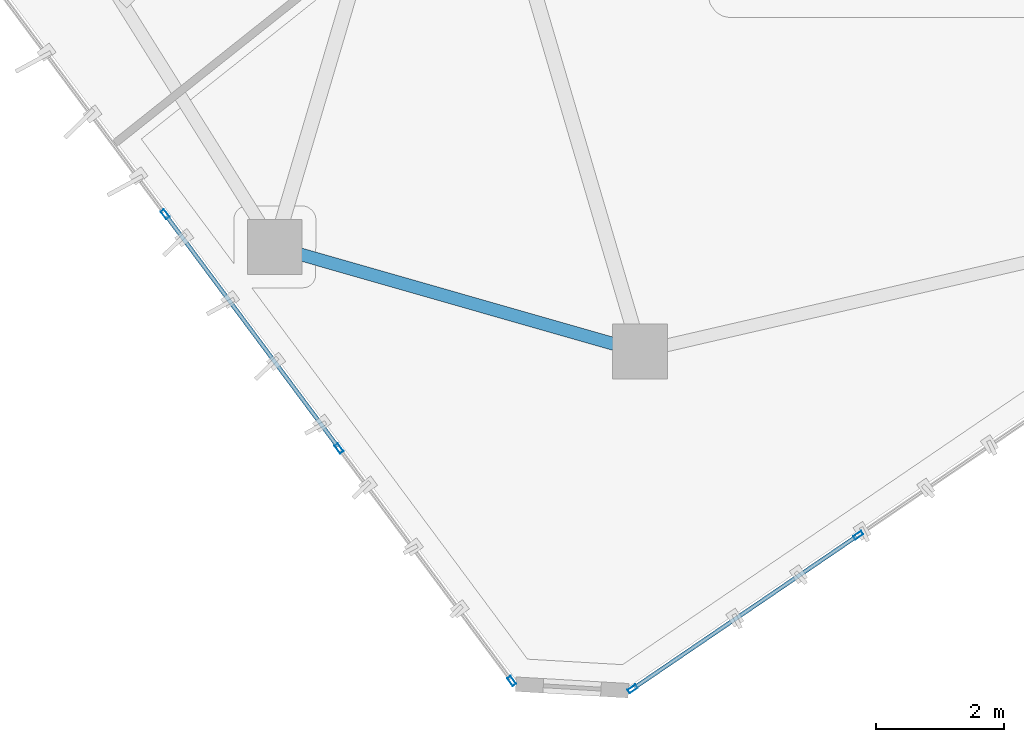
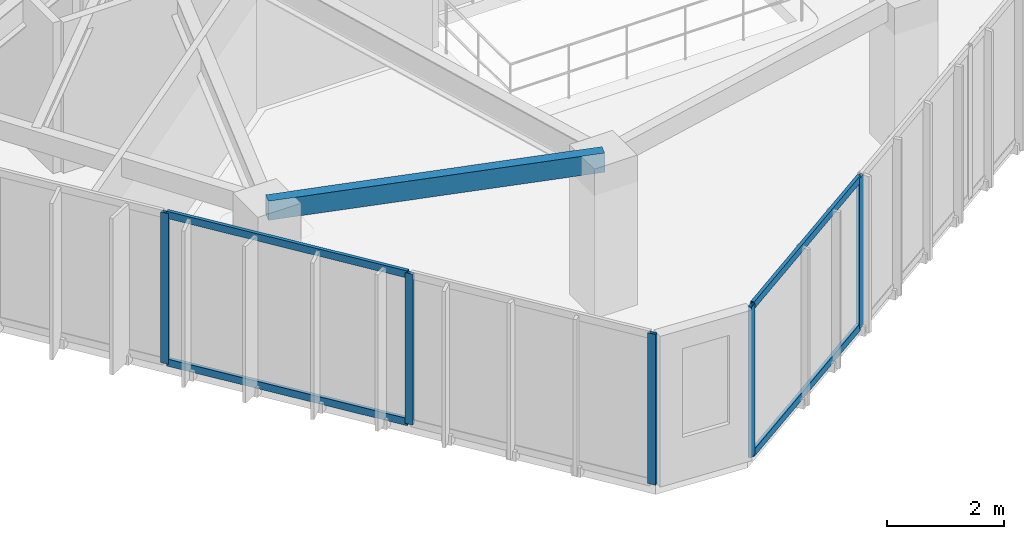
# One storey, part 2 of 20: 9 members, 1 beam, 2 elements without a shape of their own.
"""IFC4 building model written with IfcOpenShell, lengths in metres."""

from ifc_helpers import new_model, si_unit, direction, frame, origin, origin_2d, place, context, subcontext, project, spatial, hollow_rectangle, extrude, source, transform, mapped, material, layer, layer_set, material_profile, profile_set, type_object, type_shapes, element, aggregate, save


model = new_model("IFC4")

# Units and contexts
model_context = context("Model", 3, precision=1e-05, world=origin(), true_north=direction((0.0, 1.0)))
body_context = subcontext(model_context, "Body", "Model", "MODEL_VIEW")
ifc_project = project(units=[si_unit("LENGTHUNIT", "METRE"), si_unit("AREAUNIT", "SQUARE_METRE"), si_unit("VOLUMEUNIT", "CUBIC_METRE"), si_unit("PLANEANGLEUNIT", "RADIAN"), si_unit("MASSUNIT", "GRAM", prefix="KILO")], contexts=[model_context])

# Site, building, storey
site_placement = place(None, origin())
site = spatial("IfcSite", under=ifc_project, at=site_placement, CompositionType="ELEMENT")
building_placement = place(site_placement, origin())
building = spatial("IfcBuilding", under=site, at=building_placement, Name="Talar Marvaseh", CompositionType="ELEMENT")
storey_placement = place(building_placement, frame((0.0, 0.0, 244.199951171875)))
storey = spatial("IfcBuildingStorey", under=building, at=storey_placement, Name="L64", CompositionType="ELEMENT", Elevation=244.199951171875)

# Beam
ifc_material_1 = material(Name="Steel S355", Category="steel")
ifc_material_profile_1 = material_profile(ifc_material_1, hollow_rectangle(XDim=0.199951171875, YDim=0.39990234375, WallThickness=0.013916015625, at=origin_2d()), Name="RHS400x200x14")
ifc_profile_set_1 = profile_set([ifc_material_profile_1], Name="Steel S355")
beam_type = type_object("IfcBeamType", Name="Zone 3 Perimeter Spandrel Beam RHS400x200x14", PredefinedType="SPANDREL", material=ifc_profile_set_1)
beam_placement = place(storey_placement, frame((21.77587890625, 15.0400390625, 2.93994140625), z_axis=(-0.961411768303, 0.275113452538, 0.0), x_axis=(-0.275113452538, -0.961411768303, 0.0)))
element("IfcBeam", 1, at=beam_placement, inside=storey, type_object=beam_type, Name="L64 Zone 3 Perimeter Spandrel Beam RHS400x200x14", PredefinedType="SPANDREL", context=body_context, shape_type="SweptSolid", body=[
    extrude(hollow_rectangle(XDim=0.199951171875, YDim=0.39990234375, WallThickness=0.013916015625, at=origin_2d()), origin(), (0.0, 0.0, 1.0), 5.917236328125),
])

# Curtain wall, members
ifc_material_2 = material(Name="Architectural Aluminium", Category="aluminium")
ifc_layer = layer(ifc_material_2, 0.179931640625)
ifc_layer_set = layer_set([ifc_layer], Name="Architectural Aluminium")
curtain_wall_type = type_object("IfcCurtainWallType", Name="Unitised High-Wind Sky Curtain Wall Z4", PredefinedType="NOTDEFINED", material=ifc_layer_set)
curtain_wall_1_placement = place(storey_placement, origin())
curtain_wall_1 = element("IfcCurtainWall", 2, at=curtain_wall_1_placement, inside=storey, type_object=curtain_wall_type, Name="L64 Unitised High-Wind Sky Curtain Wall Z4", PredefinedType="NOTDEFINED")
ifc_material_profile_2 = material_profile(ifc_material_2, hollow_rectangle(XDim=0.06494140625, YDim=0.14990234375, WallThickness=0.00390625, at=origin_2d()), Name="RHS150x65x4")
ifc_profile_set_2 = profile_set([ifc_material_profile_2], Name="Architectural Aluminium")
member_type_1 = type_object("IfcMemberType", Name="Unitised Curtain Wall Slim Transom RHS150x65x4", PredefinedType="USERDEFINED", material=ifc_profile_set_2)
shared_shape_1 = source(origin(), body_context, "Body", "SweptSolid", [
    extrude(hollow_rectangle(XDim=0.06494140625, YDim=0.14990234375, WallThickness=0.00390625, at=origin_2d()), origin(), (0.0, 0.0, 1.0), 4.47998046875),
])
member_1_placement = place(storey_placement, frame((17.068115234375, 13.556396484375, 0.032470703125), z_axis=(-0.596191550421, 0.802842223109, 0.0), x_axis=(-0.802842223109, -0.596191550421, 0.0)))
member_1 = element("IfcMember", 3, at=member_1_placement, type_object=member_type_1, Name="CW-Z4 transom 2.1", ObjectType="TRANSOM", PredefinedType="USERDEFINED", context=body_context, shape_type="MappedRepresentation", body=[
    mapped(shared_shape_1, transform((0.0, 0.0, 0.0), x_axis=(1.0, 0.0, 0.0), y_axis=(0.0, 1.0, 0.0), z_axis=(0.0, 0.0, 1.0), scale=1.0)),
])
member_2_placement = place(storey_placement, frame((17.068115234375, 13.556396484375, 3.107666015625), z_axis=(-0.596191550421, 0.802842223109, 0.0), x_axis=(-0.802842223109, -0.596191550421, 0.0)))
member_2 = element("IfcMember", 4, at=member_2_placement, type_object=member_type_1, Name="CW-Z4 transom 2.2", ObjectType="TRANSOM", PredefinedType="USERDEFINED", context=body_context, shape_type="MappedRepresentation", body=[
    mapped(shared_shape_1, transform((0.0, 0.0, 0.0), x_axis=(1.0, 0.0, 0.0), y_axis=(0.0, 1.0, 0.0), z_axis=(0.0, 0.0, 1.0), scale=1.0)),
])

curtain_wall_2_placement = place(storey_placement, origin())
curtain_wall_2 = element("IfcCurtainWall", 5, at=curtain_wall_2_placement, inside=storey, type_object=curtain_wall_type, Name="L64 Unitised High-Wind Sky Curtain Wall Z4", PredefinedType="NOTDEFINED")
shared_shape_2 = source(origin(), body_context, "Body", "SweptSolid", [
    extrude(hollow_rectangle(XDim=0.06494140625, YDim=0.14990234375, WallThickness=0.00390625, at=origin_2d()), origin(), (0.0, 0.0, 1.0), 4.188720703125),
])
type_shapes(member_type_1, [shared_shape_1, shared_shape_2])
member_3_placement = place(storey_placement, frame((25.149658203125, 12.16015625, 0.032470703125), z_axis=(-0.826503467535, -0.562931628311, 0.0), x_axis=(0.562931628311, -0.826503467535, 0.0)))
member_3 = element("IfcMember", 6, at=member_3_placement, type_object=member_type_1, Name="CW-Z4 transom 4.1", ObjectType="TRANSOM", PredefinedType="USERDEFINED", context=body_context, shape_type="MappedRepresentation", body=[
    mapped(shared_shape_2, transform((0.0, 0.0, 0.0), x_axis=(1.0, 0.0, 0.0), y_axis=(0.0, 1.0, 0.0), z_axis=(0.0, 0.0, 1.0), scale=1.0)),
])
member_4_placement = place(storey_placement, frame((25.149658203125, 12.16015625, 3.107666015625), z_axis=(-0.826503467535, -0.562931628311, 0.0), x_axis=(0.562931628311, -0.826503467535, 0.0)))
member_4 = element("IfcMember", 7, at=member_4_placement, type_object=member_type_1, Name="CW-Z4 transom 4.2", ObjectType="TRANSOM", PredefinedType="USERDEFINED", context=body_context, shape_type="MappedRepresentation", body=[
    mapped(shared_shape_2, transform((0.0, 0.0, 0.0), x_axis=(1.0, 0.0, 0.0), y_axis=(0.0, 1.0, 0.0), z_axis=(0.0, 0.0, 1.0), scale=1.0)),
])

# Member
ifc_material_profile_3 = material_profile(ifc_material_2, hollow_rectangle(XDim=0.06494140625, YDim=0.14990234375, WallThickness=0.00390625, at=origin_2d()), Name="RHS150x65x4")
ifc_profile_set_3 = profile_set([ifc_material_profile_3], Name="Architectural Aluminium")
member_type_2 = type_object("IfcMemberType", Name="Unitised Curtain Wall Slim Mullion RHS150x65x4", PredefinedType="MULLION", material=ifc_profile_set_3)
shared_shape_3 = source(origin(), body_context, "Body", "SweptSolid", [
    extrude(hollow_rectangle(XDim=0.06494140625, YDim=0.14990234375, WallThickness=0.00390625, at=origin_2d()), origin(), (0.0, 0.0, 1.0), 3.14013671875),
])
type_shapes(member_type_2, [shared_shape_3])
member_5_placement = place(storey_placement, frame((19.777587890625, 9.907470703125, 0.0), z_axis=(0.0, 0.0, 1.0), x_axis=(-0.802853874427, -0.596175860227, 0.0)))
member_5 = element("IfcMember", 8, at=member_5_placement, type_object=member_type_2, Name="CW-Z4 mullion 1", PredefinedType="MULLION", context=body_context, shape_type="MappedRepresentation", body=[
    mapped(shared_shape_3, transform((0.0, 0.0, 0.0), x_axis=(1.0, 0.0, 0.0), y_axis=(0.0, 1.0, 0.0), z_axis=(0.0, 0.0, 1.0), scale=1.0)),
])

member_6_placement = place(storey_placement, frame((17.08740234375, 13.5302734375, 0.0), z_axis=(0.0, 0.0, 1.0), x_axis=(-0.802853874427, -0.596175860227, 0.0)))
member_6 = element("IfcMember", 9, at=member_6_placement, type_object=member_type_2, Name="CW-Z4 mullion 2", PredefinedType="MULLION", context=body_context, shape_type="MappedRepresentation", body=[
    mapped(shared_shape_3, transform((0.0, 0.0, 0.0), x_axis=(1.0, 0.0, 0.0), y_axis=(0.0, 1.0, 0.0), z_axis=(0.0, 0.0, 1.0), scale=1.0)),
])

member_7_placement = place(storey_placement, frame((14.3779296875, 17.17919921875, 0.0), z_axis=(0.0, 0.0, 1.0), x_axis=(-0.802853874427, -0.596175860227, 0.0)))
member_7 = element("IfcMember", 10, at=member_7_placement, type_object=member_type_2, Name="CW-Z4 mullion 3", PredefinedType="MULLION", context=body_context, shape_type="MappedRepresentation", body=[
    mapped(shared_shape_3, transform((0.0, 0.0, 0.0), x_axis=(1.0, 0.0, 0.0), y_axis=(0.0, 1.0, 0.0), z_axis=(0.0, 0.0, 1.0), scale=1.0)),
])

aggregate(curtain_wall_1, [member_5, member_6, member_7, member_1, member_2])

member_8_placement = place(storey_placement, frame((25.176513671875, 12.178466796875, 0.0), z_axis=(0.0, 0.0, 1.0), x_axis=(0.562933164702, -0.826502421097, 0.0)))
member_8 = element("IfcMember", 11, at=member_8_placement, type_object=member_type_2, Name="CW-Z4 mullion 4", PredefinedType="MULLION", context=body_context, shape_type="MappedRepresentation", body=[
    mapped(shared_shape_3, transform((0.0, 0.0, 0.0), x_axis=(1.0, 0.0, 0.0), y_axis=(0.0, 1.0, 0.0), z_axis=(0.0, 0.0, 1.0), scale=1.0)),
])

member_9_placement = place(storey_placement, frame((21.660888671875, 9.783935546875, 0.0), z_axis=(0.0, 0.0, 1.0), x_axis=(0.562933164702, -0.826502421097, 0.0)))
member_9 = element("IfcMember", 12, at=member_9_placement, type_object=member_type_2, Name="CW-Z4 mullion 5", PredefinedType="MULLION", context=body_context, shape_type="MappedRepresentation", body=[
    mapped(shared_shape_3, transform((0.0, 0.0, 0.0), x_axis=(1.0, 0.0, 0.0), y_axis=(0.0, 1.0, 0.0), z_axis=(0.0, 0.0, 1.0), scale=1.0)),
])

aggregate(curtain_wall_2, [member_8, member_9, member_3, member_4])

save(model, "model.ifc")
